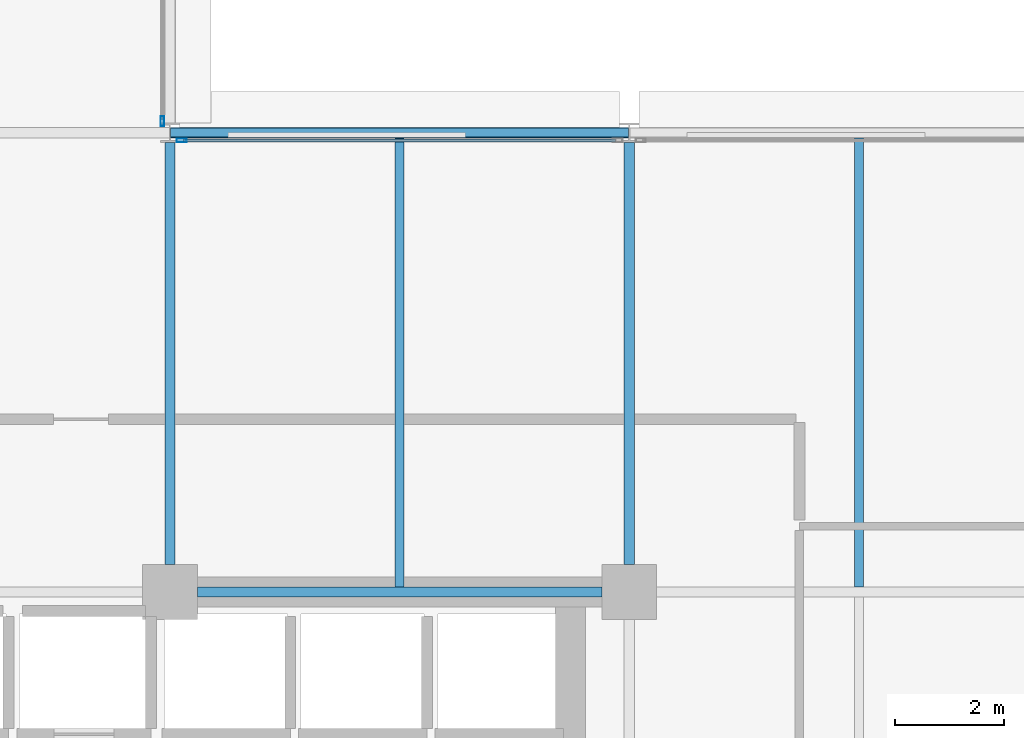
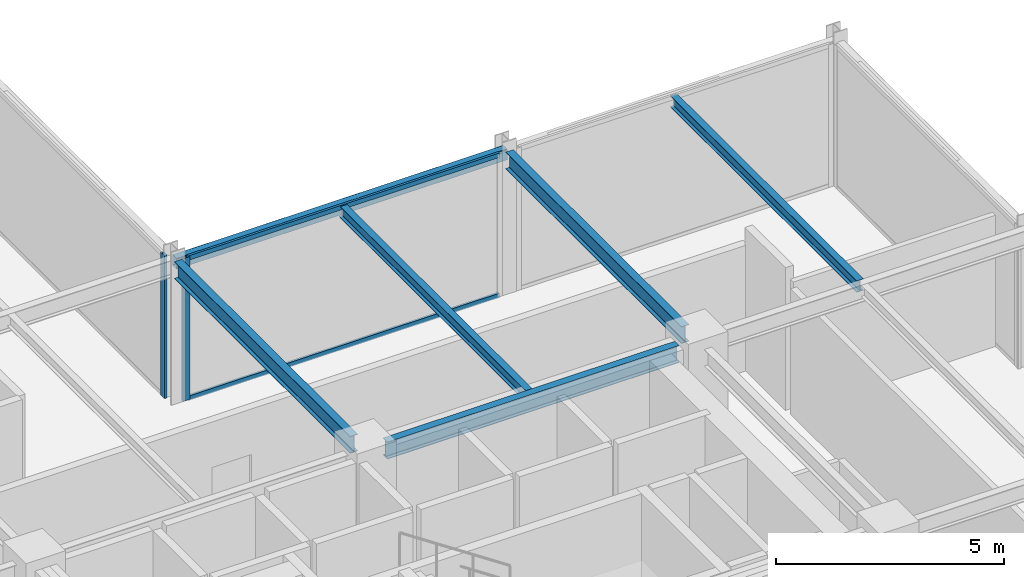
# One storey, part 14 of 29: 6 beams, 4 members, 2 elements without a shape of their own.
"""IFC4 building model written with IfcOpenShell, lengths in metres."""

from ifc_helpers import new_model, si_unit, direction, frame, origin, origin_2d, place, context, subcontext, project, spatial, hollow_rectangle, i_section, extrude, material, layer, layer_set, material_profile, profile_set, type_object, element, aggregate, save


model = new_model("IFC4")

# Units and contexts
model_context = context("Model", 3, precision=1e-05, world=origin(), true_north=direction((0.0, 1.0)))
body_context = subcontext(model_context, "Body", "Model", "MODEL_VIEW")
ifc_project = project(units=[si_unit("LENGTHUNIT", "METRE"), si_unit("AREAUNIT", "SQUARE_METRE"), si_unit("VOLUMEUNIT", "CUBIC_METRE"), si_unit("PLANEANGLEUNIT", "RADIAN"), si_unit("MASSUNIT", "GRAM", prefix="KILO")], contexts=[model_context])

# Site, building, storey
site_placement = place(None, origin())
site = spatial("IfcSite", under=ifc_project, at=site_placement, CompositionType="ELEMENT")
building_placement = place(site_placement, origin())
building = spatial("IfcBuilding", under=site, at=building_placement, Name="Nerrivon Quay Data Exchange", CompositionType="ELEMENT")
storey_placement = place(building_placement, frame((0.0, 0.0, 179.60009765625)))
storey = spatial("IfcBuildingStorey", under=building, at=storey_placement, Name="L42", CompositionType="ELEMENT", Elevation=179.60009765625)

# Beams
ifc_material_1 = material(Name="Steel Grade 350", Category="steel")
ifc_material_profile_1 = material_profile(ifc_material_1, i_section(OverallWidth=0.19091796875, OverallDepth=0.4599609375, WebThickness=0.010009765625, FlangeThickness=0.01611328125, FilletRadius=0.011474609375, at=origin_2d()), Name="460UB82.1")
ifc_profile_set_1 = profile_set([ifc_material_profile_1], Name="Steel Grade 350")
beam_type_1 = type_object("IfcBeamType", Name="BM-G5-460UB82", PredefinedType="BEAM", material=ifc_profile_set_1)
beam_1_placement = place(storey_placement, frame((25.699951171875, 16.800048828125, 3.594970703125), z_axis=(1.0, 0.0, 0.0), x_axis=(0.0, 1.0, 0.0)))
element("IfcBeam", 1, at=beam_1_placement, inside=storey, type_object=beam_type_1, Name="L42 EW Girder Y=16.8 (25.2..33.6)", PredefinedType="BEAM", context=body_context, shape_type="SweptSolid", body=[
    extrude(i_section(OverallWidth=0.19091796875, OverallDepth=0.4599609375, WebThickness=0.010009765625, FlangeThickness=0.01611328125, FilletRadius=0.011474609375, at=origin_2d()), origin(), (0.0, 0.0, 1.0), 7.400146484375),
])
ifc_material_profile_2 = material_profile(ifc_material_1, i_section(OverallWidth=0.18994140625, OverallDepth=0.4541015625, WebThickness=0.008544921875, FlangeThickness=0.0126953125, FilletRadius=0.011474609375, at=origin_2d()), Name="460UB67.1")
ifc_profile_set_2 = profile_set([ifc_material_profile_2], Name="Steel Grade 350")
beam_type_2 = type_object("IfcBeamType", Name="BM-G6-460UB67", PredefinedType="BEAM", material=ifc_profile_set_2)
for number, where, z_axis, x_axis, name in (
    (2, (25.199951171875, 17.300048828125, 3.597900390625), (0.0, 1.0, 0.0), (-1.0, 0.0, 0.0), "L42 NS Girder X=25.2 (16.8..25.2)"),
    (3, (33.60009765625, 17.300048828125, 3.597900390625), (0.0, 1.0, 0.0), (-1.0, 0.0, 0.0), "L42 NS Girder X=33.6 (16.8..25.2)"),
):
    element("IfcBeam", number, at=place(storey_placement, frame(where, z_axis=z_axis, x_axis=x_axis)), inside=storey, type_object=beam_type_2, Name=name, PredefinedType="BEAM", context=body_context, shape_type="SweptSolid", body=[
        extrude(i_section(OverallWidth=0.18994140625, OverallDepth=0.4541015625, WebThickness=0.008544921875, FlangeThickness=0.0126953125, FilletRadius=0.011474609375, at=origin_2d()), origin(), (0.0, 0.0, 1.0), 7.724853515625),
    ])
ifc_material_profile_3 = material_profile(ifc_material_1, i_section(OverallWidth=0.166015625, OverallDepth=0.306884765625, WebThickness=0.006591796875, FlangeThickness=0.01171875, FilletRadius=0.011474609375, at=origin_2d()), Name="310UB46.2")
ifc_profile_set_3 = profile_set([ifc_material_profile_3], Name="Steel Grade 350")
beam_type_3 = type_object("IfcBeamType", Name="BM-J5-310UB46", PredefinedType="JOIST", material=ifc_profile_set_3)
for number, where, z_axis, x_axis, name in (
    (4, (29.39990234375, 16.8955078125, 3.67138671875), (0.0, 1.0, 0.0), (-1.0, 0.0, 0.0), "L42 Secondary Joist X=29.4 (16.8..25.2)"),
    (5, (37.800048828125, 16.8955078125, 3.67138671875), (0.0, 1.0, 0.0), (-1.0, 0.0, 0.0), "L42 Secondary Joist X=37.8 (16.8..25.2)"),
):
    element("IfcBeam", number, at=place(storey_placement, frame(where, z_axis=z_axis, x_axis=x_axis)), inside=storey, type_object=beam_type_3, Name=name, PredefinedType="JOIST", context=body_context, shape_type="SweptSolid", body=[
        extrude(i_section(OverallWidth=0.166015625, OverallDepth=0.306884765625, WebThickness=0.006591796875, FlangeThickness=0.01171875, FilletRadius=0.011474609375, at=origin_2d()), origin(), (0.0, 0.0, 1.0), 8.20458984375),
    ])
ifc_material_2 = material(Name="Steel Grade C350L0 (350 MPa)", Category="steel")
ifc_material_profile_4 = material_profile(ifc_material_2, hollow_rectangle(XDim=0.199951171875, YDim=0.300048828125, WallThickness=0.012451171875, InnerFilletRadius=0.018798828125, OuterFilletRadius=0.03125, at=origin_2d()), Name="300x200x12.5RHS")
ifc_profile_set_4 = profile_set([ifc_material_profile_4], Name="Steel Grade C350L0 (350 MPa)")
beam_type_4 = type_object("IfcBeamType", Name="BM-SP3-300x200RHS", PredefinedType="SPANDREL", material=ifc_profile_set_4)
beam_2_placement = place(storey_placement, frame((25.2099609375, 25.199951171875, 3.6748046875), z_axis=(1.0, 0.0, 0.0), x_axis=(0.0, 1.0, 0.0)))
element("IfcBeam", 6, at=beam_2_placement, inside=storey, type_object=beam_type_4, Name="L42 EW Girder Y=25.2 (25.2..33.6)", PredefinedType="SPANDREL", context=body_context, shape_type="SweptSolid", body=[
    extrude(hollow_rectangle(XDim=0.199951171875, YDim=0.300048828125, WallThickness=0.012451171875, InnerFilletRadius=0.018798828125, OuterFilletRadius=0.03125, at=origin_2d()), origin(), (0.0, 0.0, 1.0), 8.380126953125),
])

# Curtain wall, member
ifc_material_3 = material(Name="Anodised aluminium 6063-T6", Category="aluminium")
ifc_layer = layer(ifc_material_3, 0.195068359375)
ifc_layer_set = layer_set([ifc_layer], Name="Anodised aluminium 6063-T6")
curtain_wall_type = type_object("IfcCurtainWallType", Name="CW-SYS-06", PredefinedType="NOTDEFINED", material=ifc_layer_set)
curtain_wall_1_placement = place(storey_placement, origin())
curtain_wall_1 = element("IfcCurtainWall", 7, at=curtain_wall_1_placement, inside=storey, type_object=curtain_wall_type, Name="L42 Unitised Curtain Wall 15", PredefinedType="NOTDEFINED")
ifc_material_profile_5 = material_profile(ifc_material_3, hollow_rectangle(XDim=0.06494140625, YDim=0.179931640625, WallThickness=0.00341796875, at=origin_2d()), Name="ALU-MULL-180x65")
ifc_profile_set_5 = profile_set([ifc_material_profile_5], Name="Anodised aluminium 6063-T6")
member_type_1 = type_object("IfcMemberType", Name="CWM-180x65", PredefinedType="MULLION", material=ifc_profile_set_5)
member_1_placement = place(storey_placement, frame((25.06005859375, 25.41259765625, 0.0), z_axis=(0.0, 0.0, 1.0), x_axis=(1.0, 0.0, 0.0)))
member_1 = element("IfcMember", 8, at=member_1_placement, type_object=member_type_1, Name="CW06 mullion 2", PredefinedType="MULLION", context=body_context, shape_type="SweptSolid", body=[
    extrude(hollow_rectangle(XDim=0.06494140625, YDim=0.179931640625, WallThickness=0.00341796875, at=origin_2d()), origin(), (0.0, 0.0, 1.0), 3.824951171875),
])
aggregate(curtain_wall_1, [member_1])

# Curtain wall, members
curtain_wall_2_placement = place(storey_placement, origin())
curtain_wall_2 = element("IfcCurtainWall", 9, at=curtain_wall_2_placement, inside=storey, type_object=curtain_wall_type, Name="L42 Unitised Curtain Wall 16", PredefinedType="NOTDEFINED")
member_2_placement = place(storey_placement, frame((25.41259765625, 25.06005859375, 0.0), z_axis=(0.0, 0.0, 1.0), x_axis=(0.0, 1.0, 0.0)))
member_2 = element("IfcMember", 10, at=member_2_placement, type_object=member_type_1, Name="CW06 mullion 1", PredefinedType="MULLION", context=body_context, shape_type="SweptSolid", body=[
    extrude(hollow_rectangle(XDim=0.06494140625, YDim=0.179931640625, WallThickness=0.00341796875, at=origin_2d()), origin(), (0.0, 0.0, 1.0), 3.824951171875),
])
ifc_material_profile_6 = material_profile(ifc_material_3, hollow_rectangle(XDim=0.06005859375, YDim=0.1201171875, WallThickness=0.003173828125, at=origin_2d()), Name="ALU-TRAN-120x60")
ifc_profile_set_6 = profile_set([ifc_material_profile_6], Name="Anodised aluminium 6063-T6")
member_type_2 = type_object("IfcMemberType", Name="CWT-120x60", PredefinedType="USERDEFINED", material=ifc_profile_set_6)
member_3_placement = place(storey_placement, frame((25.449951171875, 25.06005859375, 0.032470703125), z_axis=(1.0, 0.0, 0.0), x_axis=(0.0, 1.0, 0.0)))
member_3 = element("IfcMember", 11, at=member_3_placement, type_object=member_type_2, Name="CW06 transom 1.1", ObjectType="TRANSOM", PredefinedType="USERDEFINED", context=body_context, shape_type="SweptSolid", body=[
    extrude(hollow_rectangle(XDim=0.06005859375, YDim=0.1201171875, WallThickness=0.003173828125, at=origin_2d()), origin(), (0.0, 0.0, 1.0), 7.900146484375),
])
member_4_placement = place(storey_placement, frame((25.449951171875, 25.06005859375, 3.79248046875), z_axis=(1.0, 0.0, 0.0), x_axis=(0.0, 1.0, 0.0)))
member_4 = element("IfcMember", 12, at=member_4_placement, type_object=member_type_2, Name="CW06 transom 1.2", ObjectType="TRANSOM", PredefinedType="USERDEFINED", context=body_context, shape_type="SweptSolid", body=[
    extrude(hollow_rectangle(XDim=0.06005859375, YDim=0.1201171875, WallThickness=0.003173828125, at=origin_2d()), origin(), (0.0, 0.0, 1.0), 7.900146484375),
])
aggregate(curtain_wall_2, [member_2, member_3, member_4])

save(model, "model.ifc")
